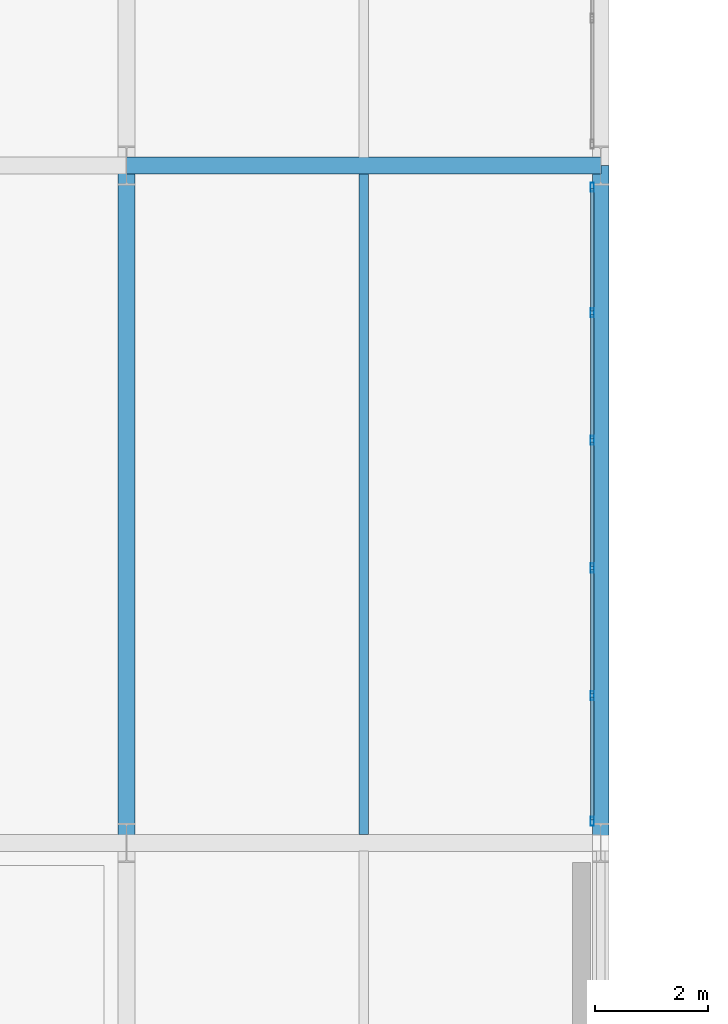
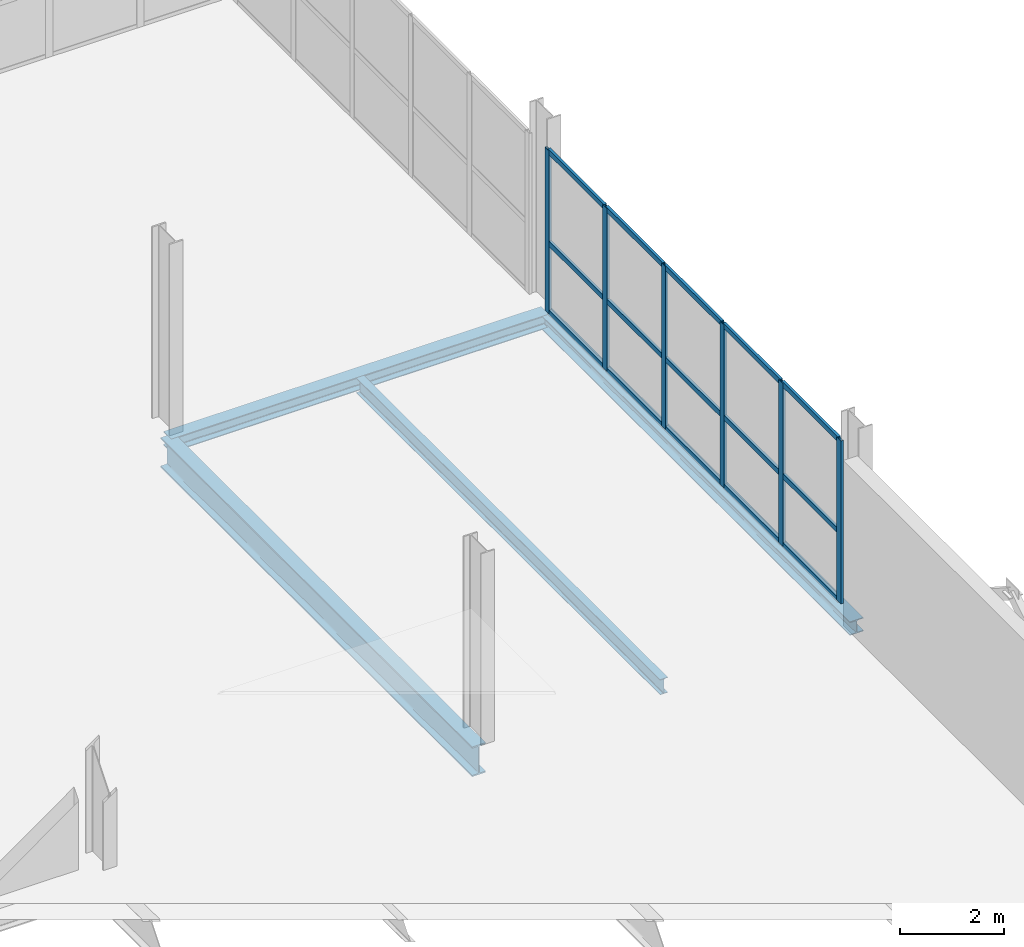
# One storey, part 43 of 113: 21 members, 4 beams, 1 element without a shape of its own.
"""IFC4 building model written with IfcOpenShell, lengths in metres."""

import ifcopenshell
import ifcopenshell.guid

model = None  # the IFC model being written
_history = None  # IfcOwnerHistory: only IFC2X3 demands one
_inside = {}  # id of a spatial element -> (the spatial element, [elements in it])
_under = {}  # id of a project, library or spatial element -> (it, [spatial elements below it])
_declared = {}  # id of a project -> (the project, [libraries it declares])
_typed = {}  # id of a type object -> (the type object, [elements of that type])
_made_of = {}  # id of a material, layer set ... -> (it, [elements and type objects made of it])


def new_model(schema):
    """Start an empty IFC model of exactly this schema.

    Asked for "IFC4X3", IfcOpenShell would pick the latest addendum, in which some entities
    have other attributes; the version numbers below select the first issue.
    IFC2X3 requires an IfcOwnerHistory on every rooted entity: one is made here for all.
    """
    global model, _history
    if schema == "IFC4X3":
        model = ifcopenshell.file(schema_version=(4, 3, 0, 0))
    else:
        model = ifcopenshell.file(schema=schema)
    _inside.clear()
    _under.clear()
    _declared.clear()
    _typed.clear()
    _made_of.clear()
    _history = None
    if model.schema == "IFC2X3":
        org = make("IfcOrganization", Name="unknown")
        user = make(
            "IfcPersonAndOrganization",
            ThePerson=make("IfcPerson", FamilyName="unknown"),
            TheOrganization=org,
        )
        app = make(
            "IfcApplication",
            ApplicationDeveloper=org,
            Version="unknown",
            ApplicationFullName="unknown",
            ApplicationIdentifier="unknown",
        )
        _history = make(
            "IfcOwnerHistory",
            OwningUser=user,
            OwningApplication=app,
            ChangeAction="ADDED",
            CreationDate=0,
        )
    return model


def make(cls, **values):
    """One entity of the class cls with the attributes given. An attribute that is None is left unset."""
    return model.create_entity(
        cls, **{name: value for name, value in values.items() if value is not None}
    )


def rooted(cls, **values):
    """An entity with a GlobalId (a new one), such as an element, a storey or a relation."""
    return make(cls, GlobalId=ifcopenshell.guid.new(), OwnerHistory=_history, **values)


def si_unit(unit_type, name, prefix=None):
    """IfcSIUnit, for example si_unit("LENGTHUNIT", "METRE", prefix="MILLI")."""
    return make("IfcSIUnit", UnitType=unit_type, Prefix=prefix, Name=name)


def assignment(units):
    """IfcUnitAssignment: the units of a project."""
    return None if units is None else make("IfcUnitAssignment", Units=units)


def point(xyz):
    """IfcCartesianPoint."""
    return None if xyz is None else make("IfcCartesianPoint", Coordinates=xyz)


def direction(xyz):
    """IfcDirection."""
    return None if xyz is None else make("IfcDirection", DirectionRatios=xyz)


def frame(location, z_axis=None, x_axis=None):
    """IfcAxis2Placement3D, a coordinate frame: its origin and axes. An axis left out is left unset."""
    return make(
        "IfcAxis2Placement3D",
        Location=point(location),
        Axis=direction(z_axis),
        RefDirection=direction(x_axis),
    )


def frame_2d(location, x_axis=None):
    """IfcAxis2Placement2D, a coordinate frame in the plane: its origin and x axis."""
    return make(
        "IfcAxis2Placement2D", Location=point(location), RefDirection=direction(x_axis)
    )


def origin():
    """The frame at (0, 0, 0) with its axes left unset."""
    return frame((0.0, 0.0, 0.0))


def origin_2d():
    """The frame at (0, 0) in the plane with its x axis left unset."""
    return frame_2d((0.0, 0.0))


def place(relative_to, where):
    """IfcLocalPlacement: puts the frame where relative to a parent placement (None: the world)."""
    return make(
        "IfcLocalPlacement", PlacementRelTo=relative_to, RelativePlacement=where
    )


def context(
    kind, dimensions, precision=None, world=None, true_north=None, identifier=None
):
    """IfcGeometricRepresentationContext, for example the 3D "Model" context."""
    return make(
        "IfcGeometricRepresentationContext",
        ContextIdentifier=identifier,
        ContextType=kind,
        CoordinateSpaceDimension=dimensions,
        Precision=precision,
        WorldCoordinateSystem=world,
        TrueNorth=true_north,
    )


def subcontext(parent, identifier, kind, view, scale=None):
    """IfcGeometricRepresentationSubContext, for example "Body" below "Model"."""
    return make(
        "IfcGeometricRepresentationSubContext",
        ContextIdentifier=identifier,
        ContextType=kind,
        ParentContext=parent,
        TargetScale=scale,
        TargetView=view,
    )


def project(units=None, contexts=None):
    """IfcProject with its units and contexts."""
    return rooted(
        "IfcProject",
        Name="project",
        RepresentationContexts=contexts,
        UnitsInContext=assignment(units),
    )


def spatial(cls, under=None, at=None, **own):
    """A site, building, storey or space (cls), placed at a placement, below another one or the project."""
    s = rooted(cls, ObjectPlacement=at, **own)
    if under is not None:
        _under.setdefault(under.id(), (under, []))[1].append(s)
    return s


def profile(cls, at=None, kind="AREA", **sizes):
    """A parametric profile (cls). Its sizes go by their IFC names, for example OverallWidth=200.0."""
    return make(cls, ProfileType=kind, Position=at, **sizes)


def hollow_rectangle(**sizes):
    """IfcRectangleHollowProfileDef."""
    return profile("IfcRectangleHollowProfileDef", **sizes)


def i_section(**sizes):
    """IfcIShapeProfileDef."""
    return profile("IfcIShapeProfileDef", **sizes)


def extrude(swept, where, along, depth):
    """IfcExtrudedAreaSolid: the profile swept, set in the frame where, extruded along a direction by depth."""
    return make(
        "IfcExtrudedAreaSolid",
        SweptArea=swept,
        Position=where,
        ExtrudedDirection=direction(along),
        Depth=depth,
    )


def shape(context_of_items, identifier, shape_type, items):
    """IfcShapeRepresentation: the items that make up one representation, for example the "Body"."""
    return make(
        "IfcShapeRepresentation",
        ContextOfItems=context_of_items,
        RepresentationIdentifier=identifier,
        RepresentationType=shape_type,
        Items=items,
    )


def material(Name=None, Category=None):
    """IfcMaterial."""
    return make("IfcMaterial", Name=Name, Category=Category)


def material_profile(
    of_material, cross_section, Name=None, Category=None, Priority=None
):
    """IfcMaterialProfile: a cross section and its material."""
    return make(
        "IfcMaterialProfile",
        Name=Name,
        Material=of_material,
        Profile=cross_section,
        Priority=Priority,
        Category=Category,
    )


def profile_set(profiles, Name=None, composite=None):
    """IfcMaterialProfileSet."""
    return make(
        "IfcMaterialProfileSet",
        Name=Name,
        MaterialProfiles=profiles,
        CompositeProfile=composite,
    )


def made_of(thing, what):
    """Note that an element or type object is made of a material, layer set ...; save() writes the relation."""
    if what is not None:
        _made_of.setdefault(what.id(), (what, []))[1].append(thing)
    return thing


def type_object(cls, material=None, **own):
    """A type object (cls), such as IfcWallType, which elements share."""
    return made_of(rooted(cls, **own), material)


def element(
    cls,
    number,
    at=None,
    inside=None,
    cuts=None,
    type_object=None,
    material=None,
    context=None,
    identifier="Body",
    shape_type=None,
    held_by="IfcProductDefinitionShape",
    body=None,
    shapes=None,
    **own,
):
    """One element of the class cls, such as IfcWall. Its Tag is "e" and its number.

    at: its placement. inside: the storey or other place that contains it. cuts: it is an
    opening in that element (IfcRelVoidsElement). A single representation is given by context,
    identifier, shape_type and body (its items); several are given by shapes. held_by: the class
    of the entity that holds the representations. save() writes the other relations.
    """
    e = rooted(cls, Tag="e%d" % number, ObjectPlacement=at, **own)
    if body is not None:
        shapes = [shape(context, identifier, shape_type, body)]
    if shapes is not None:
        e.Representation = make(held_by, Representations=shapes)
    if inside is not None:
        _inside.setdefault(inside.id(), (inside, []))[1].append(e)
    if cuts is not None:
        rooted(
            "IfcRelVoidsElement", RelatingBuildingElement=cuts, RelatedOpeningElement=e
        )
    if type_object is not None:
        _typed.setdefault(type_object.id(), (type_object, []))[1].append(e)
    return made_of(e, material)


def aggregate(whole, parts):
    """IfcRelAggregates: a whole, such as a stair, and the parts it consists of."""
    return rooted("IfcRelAggregates", RelatingObject=whole, RelatedObjects=parts)


def save(model, path):
    """Write the relations noted so far, then the file.

    IfcRelAggregates (storeys below a building ...), IfcRelContainedInSpatialStructure (elements
    in a storey), IfcRelDefinesByType, IfcRelAssociatesMaterial and IfcRelDeclares: one each for
    every whole, place, type object, material and project.
    """
    for whole, parts in _under.values():
        aggregate(whole, parts)
    for where, things in _inside.values():
        rooted(
            "IfcRelContainedInSpatialStructure",
            RelatedElements=things,
            RelatingStructure=where,
        )
    for kind, things in _typed.values():
        rooted("IfcRelDefinesByType", RelatedObjects=things, RelatingType=kind)
    for what, things in _made_of.values():
        rooted("IfcRelAssociatesMaterial", RelatedObjects=things, RelatingMaterial=what)
    for by, libraries in _declared.values():
        rooted("IfcRelDeclares", RelatingContext=by, RelatedDefinitions=libraries)
    model.write(path)


model = new_model("IFC4")

# Units and contexts
model_context = context("Model", 3, precision=1e-05, world=origin(), true_north=direction((0.0, 1.0)))
body_context = subcontext(model_context, "Body", "Model", "MODEL_VIEW")
ifc_project = project(units=[si_unit("LENGTHUNIT", "METRE"), si_unit("AREAUNIT", "SQUARE_METRE"), si_unit("VOLUMEUNIT", "CUBIC_METRE"), si_unit("PLANEANGLEUNIT", "RADIAN"), si_unit("MASSUNIT", "GRAM", prefix="KILO")], contexts=[model_context])

# Site, building, storey
site_placement = place(None, origin())
site = spatial("IfcSite", under=ifc_project, at=site_placement, CompositionType="ELEMENT")
building_placement = place(site_placement, origin())
building = spatial("IfcBuilding", under=site, at=building_placement, Name="Veltarok Museum of Natural Sciences", CompositionType="ELEMENT")
storey_placement = place(building_placement, frame((0.0, 0.0, 8.39990234375)))
storey = spatial("IfcBuildingStorey", under=building, at=storey_placement, Name="L01", CompositionType="ELEMENT", Elevation=8.39990234375)

# Curtain wall, members
ifc_material_1 = material(Name="Low-iron triple insulated glass", Category="glass")
curtain_wall_type = type_object("IfcCurtainWallType", Name="Curtain Wall System CW-V2E-L01-1-1130x383 (CW-V2E L01 1130x383cm)", PredefinedType="NOTDEFINED", material=ifc_material_1)
curtain_wall_placement = place(storey_placement, origin())
curtain_wall = element("IfcCurtainWall", 1, at=curtain_wall_placement, inside=storey, type_object=curtain_wall_type, Name="Curtain Wall CW-V2E-L01-1-1130x383 CW-0129", PredefinedType="NOTDEFINED")
ifc_material_2 = material(Name="Thermally broken anodised aluminium", Category="aluminium")
ifc_material_profile_1 = material_profile(ifc_material_2, hollow_rectangle(XDim=0.06005859375, YDim=0.1201171875, WallThickness=0.0048828125, at=origin_2d()), Name="CW TRANSOM 60x120x5")
ifc_profile_set_1 = profile_set([ifc_material_profile_1], Name="Thermally broken anodised aluminium")
member_type_1 = type_object("IfcMemberType", Name="Curtain Wall Horizontal Transom 60x120x5", PredefinedType="USERDEFINED", material=ifc_profile_set_1)
member_1_placement = place(storey_placement, frame((98.64990234375, 48.409912109375, 0.028076171875), z_axis=(0.0, 1.0, 0.0), x_axis=(-1.0, 0.0, 0.0)))
member_1 = element("IfcMember", 2, at=member_1_placement, type_object=member_type_1, Name="CW-V2E-L01-1-1130x383 transom 1.1", ObjectType="TRANSOM", PredefinedType="USERDEFINED", context=body_context, shape_type="SweptSolid", body=[
    extrude(hollow_rectangle(XDim=0.06005859375, YDim=0.1201171875, WallThickness=0.0048828125, at=origin_2d()), origin(), (0.0, 0.0, 1.0), 2.170166015625),
])
member_2_placement = place(storey_placement, frame((98.64990234375, 48.409912109375, 1.648193359375), z_axis=(0.0, 1.0, 0.0), x_axis=(-1.0, 0.0, 0.0)))
member_2 = element("IfcMember", 3, at=member_2_placement, type_object=member_type_1, Name="CW-V2E-L01-1-1130x383 transom 1.2", ObjectType="TRANSOM", PredefinedType="USERDEFINED", context=body_context, shape_type="SweptSolid", body=[
    extrude(hollow_rectangle(XDim=0.06005859375, YDim=0.1201171875, WallThickness=0.0048828125, at=origin_2d()), origin(), (0.0, 0.0, 1.0), 2.170166015625),
])
member_3_placement = place(storey_placement, frame((98.64990234375, 48.409912109375, 3.800048828125), z_axis=(0.0, 1.0, 0.0), x_axis=(-1.0, 0.0, 0.0)))
member_3 = element("IfcMember", 4, at=member_3_placement, type_object=member_type_1, Name="CW-V2E-L01-1-1130x383 transom 1.3", ObjectType="TRANSOM", PredefinedType="USERDEFINED", context=body_context, shape_type="SweptSolid", body=[
    extrude(hollow_rectangle(XDim=0.06005859375, YDim=0.1201171875, WallThickness=0.0048828125, at=origin_2d()), origin(), (0.0, 0.0, 1.0), 2.170166015625),
])
member_4_placement = place(storey_placement, frame((98.64990234375, 50.639892578125, 0.028076171875), z_axis=(0.0, 1.0, 0.0), x_axis=(-1.0, 0.0, 0.0)))
member_4 = element("IfcMember", 5, at=member_4_placement, type_object=member_type_1, Name="CW-V2E-L01-1-1130x383 transom 2.1", ObjectType="TRANSOM", PredefinedType="USERDEFINED", context=body_context, shape_type="SweptSolid", body=[
    extrude(hollow_rectangle(XDim=0.06005859375, YDim=0.1201171875, WallThickness=0.0048828125, at=origin_2d()), origin(), (0.0, 0.0, 1.0), 2.2001953125),
])
member_5_placement = place(storey_placement, frame((98.64990234375, 50.639892578125, 1.648193359375), z_axis=(0.0, 1.0, 0.0), x_axis=(-1.0, 0.0, 0.0)))
member_5 = element("IfcMember", 6, at=member_5_placement, type_object=member_type_1, Name="CW-V2E-L01-1-1130x383 transom 2.2", ObjectType="TRANSOM", PredefinedType="USERDEFINED", context=body_context, shape_type="SweptSolid", body=[
    extrude(hollow_rectangle(XDim=0.06005859375, YDim=0.1201171875, WallThickness=0.0048828125, at=origin_2d()), origin(), (0.0, 0.0, 1.0), 2.2001953125),
])
member_6_placement = place(storey_placement, frame((98.64990234375, 50.639892578125, 3.800048828125), z_axis=(0.0, 1.0, 0.0), x_axis=(-1.0, 0.0, 0.0)))
member_6 = element("IfcMember", 7, at=member_6_placement, type_object=member_type_1, Name="CW-V2E-L01-1-1130x383 transom 2.3", ObjectType="TRANSOM", PredefinedType="USERDEFINED", context=body_context, shape_type="SweptSolid", body=[
    extrude(hollow_rectangle(XDim=0.06005859375, YDim=0.1201171875, WallThickness=0.0048828125, at=origin_2d()), origin(), (0.0, 0.0, 1.0), 2.2001953125),
])
member_7_placement = place(storey_placement, frame((98.64990234375, 52.89990234375, 0.028076171875), z_axis=(0.0, 1.0, 0.0), x_axis=(-1.0, 0.0, 0.0)))
member_7 = element("IfcMember", 8, at=member_7_placement, type_object=member_type_1, Name="CW-V2E-L01-1-1130x383 transom 3.1", ObjectType="TRANSOM", PredefinedType="USERDEFINED", context=body_context, shape_type="SweptSolid", body=[
    extrude(hollow_rectangle(XDim=0.06005859375, YDim=0.1201171875, WallThickness=0.0048828125, at=origin_2d()), origin(), (0.0, 0.0, 1.0), 2.2001953125),
])
member_8_placement = place(storey_placement, frame((98.64990234375, 52.89990234375, 1.648193359375), z_axis=(0.0, 1.0, 0.0), x_axis=(-1.0, 0.0, 0.0)))
member_8 = element("IfcMember", 9, at=member_8_placement, type_object=member_type_1, Name="CW-V2E-L01-1-1130x383 transom 3.2", ObjectType="TRANSOM", PredefinedType="USERDEFINED", context=body_context, shape_type="SweptSolid", body=[
    extrude(hollow_rectangle(XDim=0.06005859375, YDim=0.1201171875, WallThickness=0.0048828125, at=origin_2d()), origin(), (0.0, 0.0, 1.0), 2.2001953125),
])
member_9_placement = place(storey_placement, frame((98.64990234375, 52.89990234375, 3.800048828125), z_axis=(0.0, 1.0, 0.0), x_axis=(-1.0, 0.0, 0.0)))
member_9 = element("IfcMember", 10, at=member_9_placement, type_object=member_type_1, Name="CW-V2E-L01-1-1130x383 transom 3.3", ObjectType="TRANSOM", PredefinedType="USERDEFINED", context=body_context, shape_type="SweptSolid", body=[
    extrude(hollow_rectangle(XDim=0.06005859375, YDim=0.1201171875, WallThickness=0.0048828125, at=origin_2d()), origin(), (0.0, 0.0, 1.0), 2.2001953125),
])
member_10_placement = place(storey_placement, frame((98.64990234375, 55.159912109375, 0.028076171875), z_axis=(0.0, 1.0, 0.0), x_axis=(-1.0, 0.0, 0.0)))
member_10 = element("IfcMember", 11, at=member_10_placement, type_object=member_type_1, Name="CW-V2E-L01-1-1130x383 transom 4.1", ObjectType="TRANSOM", PredefinedType="USERDEFINED", context=body_context, shape_type="SweptSolid", body=[
    extrude(hollow_rectangle(XDim=0.06005859375, YDim=0.1201171875, WallThickness=0.0048828125, at=origin_2d()), origin(), (0.0, 0.0, 1.0), 2.2001953125),
])
member_11_placement = place(storey_placement, frame((98.64990234375, 55.159912109375, 1.648193359375), z_axis=(0.0, 1.0, 0.0), x_axis=(-1.0, 0.0, 0.0)))
member_11 = element("IfcMember", 12, at=member_11_placement, type_object=member_type_1, Name="CW-V2E-L01-1-1130x383 transom 4.2", ObjectType="TRANSOM", PredefinedType="USERDEFINED", context=body_context, shape_type="SweptSolid", body=[
    extrude(hollow_rectangle(XDim=0.06005859375, YDim=0.1201171875, WallThickness=0.0048828125, at=origin_2d()), origin(), (0.0, 0.0, 1.0), 2.2001953125),
])
member_12_placement = place(storey_placement, frame((98.64990234375, 55.159912109375, 3.800048828125), z_axis=(0.0, 1.0, 0.0), x_axis=(-1.0, 0.0, 0.0)))
member_12 = element("IfcMember", 13, at=member_12_placement, type_object=member_type_1, Name="CW-V2E-L01-1-1130x383 transom 4.3", ObjectType="TRANSOM", PredefinedType="USERDEFINED", context=body_context, shape_type="SweptSolid", body=[
    extrude(hollow_rectangle(XDim=0.06005859375, YDim=0.1201171875, WallThickness=0.0048828125, at=origin_2d()), origin(), (0.0, 0.0, 1.0), 2.2001953125),
])
member_13_placement = place(storey_placement, frame((98.64990234375, 57.419921875, 0.028076171875), z_axis=(0.0, 1.0, 0.0), x_axis=(-1.0, 0.0, 0.0)))
member_13 = element("IfcMember", 14, at=member_13_placement, type_object=member_type_1, Name="CW-V2E-L01-1-1130x383 transom 5.1", ObjectType="TRANSOM", PredefinedType="USERDEFINED", context=body_context, shape_type="SweptSolid", body=[
    extrude(hollow_rectangle(XDim=0.06005859375, YDim=0.1201171875, WallThickness=0.0048828125, at=origin_2d()), origin(), (0.0, 0.0, 1.0), 2.170166015625),
])
member_14_placement = place(storey_placement, frame((98.64990234375, 57.419921875, 1.648193359375), z_axis=(0.0, 1.0, 0.0), x_axis=(-1.0, 0.0, 0.0)))
member_14 = element("IfcMember", 15, at=member_14_placement, type_object=member_type_1, Name="CW-V2E-L01-1-1130x383 transom 5.2", ObjectType="TRANSOM", PredefinedType="USERDEFINED", context=body_context, shape_type="SweptSolid", body=[
    extrude(hollow_rectangle(XDim=0.06005859375, YDim=0.1201171875, WallThickness=0.0048828125, at=origin_2d()), origin(), (0.0, 0.0, 1.0), 2.170166015625),
])
member_15_placement = place(storey_placement, frame((98.64990234375, 57.419921875, 3.800048828125), z_axis=(0.0, 1.0, 0.0), x_axis=(-1.0, 0.0, 0.0)))
member_15 = element("IfcMember", 16, at=member_15_placement, type_object=member_type_1, Name="CW-V2E-L01-1-1130x383 transom 5.3", ObjectType="TRANSOM", PredefinedType="USERDEFINED", context=body_context, shape_type="SweptSolid", body=[
    extrude(hollow_rectangle(XDim=0.06005859375, YDim=0.1201171875, WallThickness=0.0048828125, at=origin_2d()), origin(), (0.0, 0.0, 1.0), 2.170166015625),
])
ifc_material_profile_2 = material_profile(ifc_material_2, hollow_rectangle(XDim=0.06005859375, YDim=0.159912109375, WallThickness=0.0048828125, at=origin_2d()), Name="CW MULLION 60x160x5")
ifc_profile_set_2 = profile_set([ifc_material_profile_2], Name="Thermally broken anodised aluminium")
member_type_2 = type_object("IfcMemberType", Name="Curtain Wall Vertical Mullion 60x160x5", PredefinedType="MULLION", material=ifc_profile_set_2)
member_16_placement = place(storey_placement, frame((98.64990234375, 48.3798828125, -0.001953125), z_axis=(0.0, 0.0, 1.0), x_axis=(-1.0, 0.0, 0.0)))
member_16 = element("IfcMember", 17, at=member_16_placement, type_object=member_type_2, Name="CW-V2E-L01-1-1130x383 mullion 1", PredefinedType="MULLION", context=body_context, shape_type="SweptSolid", body=[
    extrude(hollow_rectangle(XDim=0.06005859375, YDim=0.159912109375, WallThickness=0.0048828125, at=origin_2d()), origin(), (0.0, 0.0, 1.0), 3.83203125),
])
member_17_placement = place(storey_placement, frame((98.64990234375, 50.610107421875, -0.001953125), z_axis=(0.0, 0.0, 1.0), x_axis=(-1.0, 0.0, 0.0)))
member_17 = element("IfcMember", 18, at=member_17_placement, type_object=member_type_2, Name="CW-V2E-L01-1-1130x383 mullion 2", PredefinedType="MULLION", context=body_context, shape_type="SweptSolid", body=[
    extrude(hollow_rectangle(XDim=0.06005859375, YDim=0.159912109375, WallThickness=0.0048828125, at=origin_2d()), origin(), (0.0, 0.0, 1.0), 3.83203125),
])
member_18_placement = place(storey_placement, frame((98.64990234375, 52.8701171875, -0.001953125), z_axis=(0.0, 0.0, 1.0), x_axis=(-1.0, 0.0, 0.0)))
member_18 = element("IfcMember", 19, at=member_18_placement, type_object=member_type_2, Name="CW-V2E-L01-1-1130x383 mullion 3", PredefinedType="MULLION", context=body_context, shape_type="SweptSolid", body=[
    extrude(hollow_rectangle(XDim=0.06005859375, YDim=0.159912109375, WallThickness=0.0048828125, at=origin_2d()), origin(), (0.0, 0.0, 1.0), 3.83203125),
])
member_19_placement = place(storey_placement, frame((98.64990234375, 55.1298828125, -0.001953125), z_axis=(0.0, 0.0, 1.0), x_axis=(-1.0, 0.0, 0.0)))
member_19 = element("IfcMember", 20, at=member_19_placement, type_object=member_type_2, Name="CW-V2E-L01-1-1130x383 mullion 4", PredefinedType="MULLION", context=body_context, shape_type="SweptSolid", body=[
    extrude(hollow_rectangle(XDim=0.06005859375, YDim=0.159912109375, WallThickness=0.0048828125, at=origin_2d()), origin(), (0.0, 0.0, 1.0), 3.83203125),
])
member_20_placement = place(storey_placement, frame((98.64990234375, 57.389892578125, -0.001953125), z_axis=(0.0, 0.0, 1.0), x_axis=(-1.0, 0.0, 0.0)))
member_20 = element("IfcMember", 21, at=member_20_placement, type_object=member_type_2, Name="CW-V2E-L01-1-1130x383 mullion 5", PredefinedType="MULLION", context=body_context, shape_type="SweptSolid", body=[
    extrude(hollow_rectangle(XDim=0.06005859375, YDim=0.159912109375, WallThickness=0.0048828125, at=origin_2d()), origin(), (0.0, 0.0, 1.0), 3.83203125),
])
member_21_placement = place(storey_placement, frame((98.64990234375, 59.6201171875, -0.001953125), z_axis=(0.0, 0.0, 1.0), x_axis=(-1.0, 0.0, 0.0)))
member_21 = element("IfcMember", 22, at=member_21_placement, type_object=member_type_2, Name="CW-V2E-L01-1-1130x383 mullion 6", PredefinedType="MULLION", context=body_context, shape_type="SweptSolid", body=[
    extrude(hollow_rectangle(XDim=0.06005859375, YDim=0.159912109375, WallThickness=0.0048828125, at=origin_2d()), origin(), (0.0, 0.0, 1.0), 3.83203125),
])
aggregate(curtain_wall, [member_16, member_17, member_18, member_19, member_20, member_21, member_1, member_2, member_3, member_4, member_5, member_6, member_7, member_8, member_9, member_10, member_11, member_12, member_13, member_14, member_15])

# Beams
ifc_material_3 = material(Name="Steel S355J2", Category="steel")
ifc_material_profile_3 = material_profile(ifc_material_3, i_section(OverallWidth=0.169921875, OverallDepth=0.360107421875, WebThickness=0.008056640625, FlangeThickness=0.0126953125, FilletRadius=0.01806640625, at=origin_2d()), Name="IPE 360")
ifc_profile_set_3 = profile_set([ifc_material_profile_3], Name="Steel S355J2")
beam_type_1 = type_object("IfcBeamType", Name="Long-Bay Composite Joist IPE 360", PredefinedType="JOIST", material=ifc_profile_set_3)
beam_1_placement = place(storey_placement, frame((94.60009765625, 48.14794921875, -0.429931640625), z_axis=(0.0, 1.0, 0.0), x_axis=(-1.0, 0.0, 0.0)))
element("IfcBeam", 23, at=beam_1_placement, inside=storey, type_object=beam_type_1, Name="Secondary Joist BM-J01 L01 11-12/F-G.1", PredefinedType="JOIST", context=body_context, shape_type="SweptSolid", body=[
    extrude(i_section(OverallWidth=0.169921875, OverallDepth=0.360107421875, WebThickness=0.008056640625, FlangeThickness=0.0126953125, FilletRadius=0.01806640625, at=origin_2d()), origin(), (0.0, 0.0, 1.0), 11.7041015625),
])
ifc_material_profile_4 = material_profile(ifc_material_3, i_section(OverallWidth=0.300048828125, OverallDepth=0.699951171875, WebThickness=0.01708984375, FlangeThickness=0.031982421875, FilletRadius=0.027099609375, at=origin_2d()), Name="HEB 700")
ifc_profile_set_4 = profile_set([ifc_material_profile_4], Name="Steel S355J2")
beam_type_2 = type_object("IfcBeamType", Name="Long-Span Hall Girder HEB 700", PredefinedType="BEAM", material=ifc_profile_set_4)
beam_2_placement = place(storey_placement, frame((90.39990234375, 48.0, -0.599853515625), z_axis=(0.0, 1.0, 0.0), x_axis=(-1.0, 0.0, 0.0)))
element("IfcBeam", 24, at=beam_2_placement, inside=storey, type_object=beam_type_2, Name="Beam BM-G01 L01 11/F-G", PredefinedType="BEAM", context=body_context, shape_type="SweptSolid", body=[
    extrude(i_section(OverallWidth=0.300048828125, OverallDepth=0.699951171875, WebThickness=0.01708984375, FlangeThickness=0.031982421875, FilletRadius=0.027099609375, at=origin_2d()), origin(), (0.0, 0.0, 1.0), 12.0),
])
ifc_material_profile_5 = material_profile(ifc_material_3, i_section(OverallWidth=0.300048828125, OverallDepth=0.320068359375, WebThickness=0.011474609375, FlangeThickness=0.0205078125, FilletRadius=0.027099609375, at=origin_2d()), Name="HEB 320")
ifc_profile_set_5 = profile_set([ifc_material_profile_5], Name="Steel S355J2")
beam_type_3 = type_object("IfcBeamType", Name="Perimeter Sawtooth Spandrel HEB 320", PredefinedType="SPANDREL", material=ifc_profile_set_5)
beam_3_placement = place(storey_placement, frame((90.39990234375, 60.0, -0.409912109375), z_axis=(1.0, 0.0, 0.0), x_axis=(0.0, 1.0, 0.0)))
element("IfcBeam", 25, at=beam_3_placement, inside=storey, type_object=beam_type_3, Name="Beam BM-SP06 L01 11-12/G", PredefinedType="SPANDREL", context=body_context, shape_type="SweptSolid", body=[
    extrude(i_section(OverallWidth=0.300048828125, OverallDepth=0.320068359375, WebThickness=0.011474609375, FlangeThickness=0.0205078125, FilletRadius=0.027099609375, at=origin_2d()), origin(), (0.0, 0.0, 1.0), 8.400146484375),
])
beam_4_placement = place(storey_placement, frame((98.800048828125, 48.0, -0.409912109375), z_axis=(0.0, 1.0, 0.0), x_axis=(-1.0, 0.0, 0.0)))
element("IfcBeam", 26, at=beam_4_placement, inside=storey, type_object=beam_type_3, Name="Beam BM-SP06 L01 12/F-G", PredefinedType="SPANDREL", context=body_context, shape_type="SweptSolid", body=[
    extrude(i_section(OverallWidth=0.300048828125, OverallDepth=0.320068359375, WebThickness=0.011474609375, FlangeThickness=0.0205078125, FilletRadius=0.027099609375, at=origin_2d()), origin(), (0.0, 0.0, 1.0), 12.0),
])

save(model, "model.ifc")
